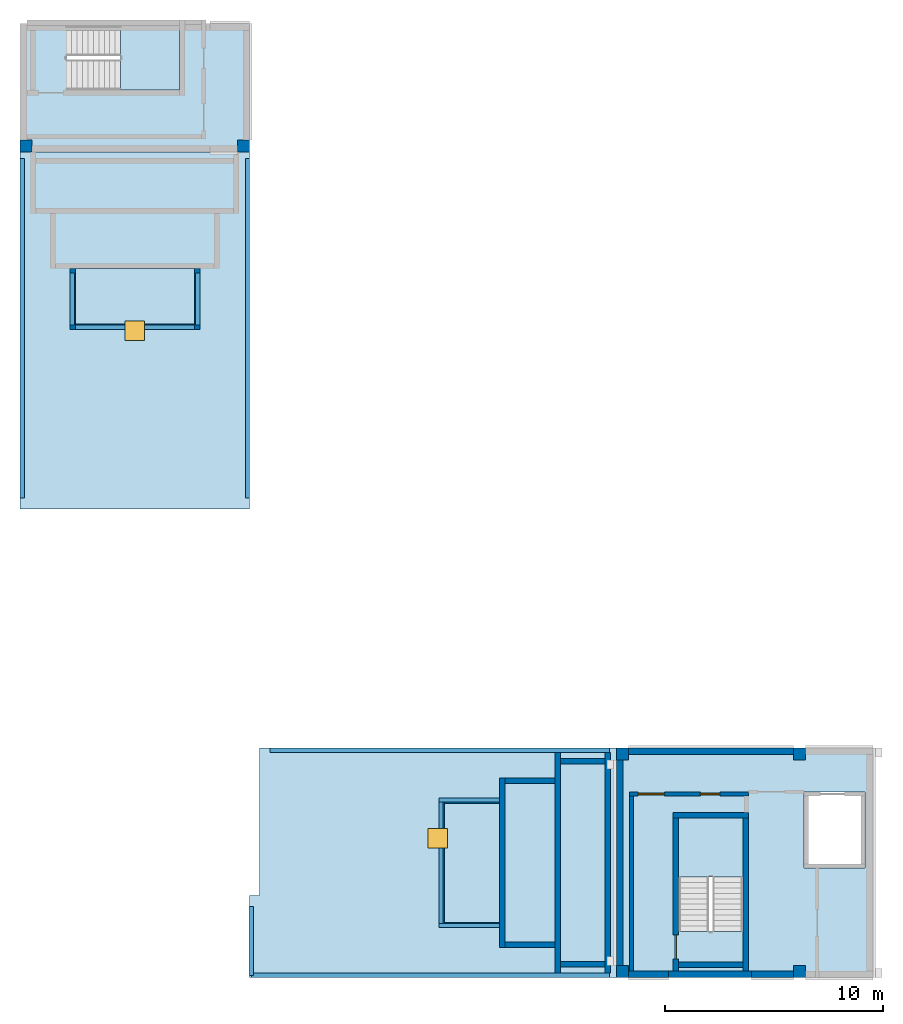
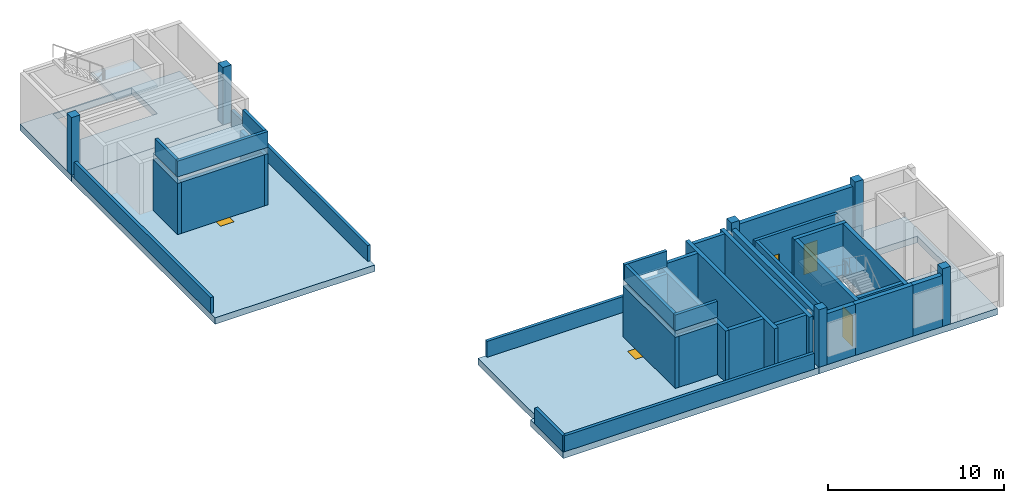
# One storey, part 1 of 4: 35 walls, 8 slabs, 6 columns, 3 doors, 2 windows, 5 openings, 2 elements without a shape of their own.
"""IFC4 building model written with IfcOpenShell, lengths in metres."""

from ifc_helpers import new_model, si_unit, direction, frame, frame_2d, origin, origin_2d, place, context, subcontext, project, spatial, polyline, rectangle, outline, extrude, source, transform, mapped, material, layer, layer_set, material_profile, profile_set, type_object, element, fill, aggregate, save


model = new_model("IFC4")

# Units and contexts
model_context = context("Model", 3, precision=1e-05, world=origin(), true_north=direction((0.0, 1.0)))
body_context = subcontext(model_context, "Body", "Model", "MODEL_VIEW")
ifc_project = project(units=[si_unit("LENGTHUNIT", "METRE"), si_unit("AREAUNIT", "SQUARE_METRE"), si_unit("VOLUMEUNIT", "CUBIC_METRE"), si_unit("PLANEANGLEUNIT", "RADIAN"), si_unit("MASSUNIT", "GRAM", prefix="KILO")], contexts=[model_context])

# Site, building, storey
site_placement = place(None, origin())
site = spatial("IfcSite", under=ifc_project, at=site_placement, CompositionType="ELEMENT")
building_placement = place(site_placement, origin())
building = spatial("IfcBuilding", under=site, at=building_placement, Name="Aurelian Terraces", CompositionType="ELEMENT")
storey_placement = place(building_placement, frame((0.0, 0.0, 376.5)))
storey = spatial("IfcBuildingStorey", under=building, at=storey_placement, Name="L90", CompositionType="ELEMENT", Elevation=376.5)

# Columns
ifc_material_1 = material(Name="Concrete fc' 55 MPa", Category="concrete")
ifc_material_profile = material_profile(ifc_material_1, rectangle(XDim=0.55, YDim=0.55, at=origin_2d()))
ifc_profile_set = profile_set([ifc_material_profile], Name="Concrete fc' 55 MPa")
column_type = type_object("IfcColumnType", Name="RC COLUMN 550X550 FC55", PredefinedType="COLUMN", material=ifc_profile_set)
shared_shape_1 = source(origin(), body_context, "Body", "SweptSolid", [
    extrude(rectangle(XDim=0.55, YDim=0.55, at=origin_2d()), origin(), (0.0, 0.0, 1.0), 4.0),
])
for number, where, z_axis, x_axis, name in (
    (1, (38.075, 0.275, 0.0), (0.0, 0.0, 1.0), (1.0, 0.0, 0.0), "Column 5/A L90"),
    (2, (46.2, 0.275, 0.0), (0.0, 0.0, 1.0), (1.0, 0.0, 0.0), "Column 6/A L90"),
    (3, (38.075, 10.225, 0.0), (0.0, 0.0, 1.0), (1.0, 0.0, 0.0), "Column 5/B L90"),
    (4, (46.2, 10.225, 0.0), (0.0, 0.0, 1.0), (1.0, 0.0, 0.0), "Column 6/B L90"),
    (5, (10.775, 38.075, 0.0), (0.0, 0.0, 1.0), (1.0, 0.0, 0.0), "Column 2/E L90"),
    (6, (20.725, 38.075, 0.0), (0.0, 0.0, 1.0), (1.0, 0.0, 0.0), "Column 3/E L90"),
):
    element("IfcColumn", number, at=place(storey_placement, frame(where, z_axis=z_axis, x_axis=x_axis)), inside=storey, type_object=column_type, Name=name, PredefinedType="COLUMN", context=body_context, shape_type="MappedRepresentation", body=[
        mapped(shared_shape_1, transform((0.0, 0.0, 0.0), scale=1.0)),
    ])

# Slabs
ifc_material_2 = material(Name="Concrete fc' 40 MPa", Category="concrete")
ifc_layer_1 = layer(ifc_material_2, 0.45)
ifc_layer_set_1 = layer_set([ifc_layer_1], Name="CROWN ROOF SLAB 450")
slab_type_1 = type_object("IfcSlabType", Name="CROWN ROOF SLAB 450", PredefinedType="ROOF", material=ifc_layer_set_1)
slab_1_placement = place(storey_placement, frame((0.0, 0.0, 3.55)))
element("IfcSlab", 7, at=slab_1_placement, inside=storey, type_object=slab_type_1, Name="Crown tier roof slab A1S1", PredefinedType="ROOF", context=body_context, shape_type="SweptSolid", body=[
    extrude(outline(polyline([(32.458, 2.275), (32.458, 8.225), (29.675, 8.225), (29.675, 2.275), (32.458, 2.275)])), origin(), (0.0, 0.0, 1.0), 0.45),
])
slab_2_placement = place(storey_placement, frame((0.0, 0.0, 3.55)))
element("IfcSlab", 8, at=slab_2_placement, inside=storey, type_object=slab_type_1, Name="Crown tier roof slab BS1", PredefinedType="ROOF", context=body_context, shape_type="SweptSolid", body=[
    extrude(outline(polyline([(18.725, 29.675), (18.725, 32.458), (12.775, 32.458), (12.775, 29.675), (18.725, 29.675)])), origin(), (0.0, 0.0, 1.0), 0.45),
])
ifc_layer_2 = layer(ifc_material_2, 0.45)
ifc_layer_set_2 = layer_set([ifc_layer_2], Name="PT FLAT PLATE 450")
slab_type_2 = type_object("IfcSlabType", Name="PT FLAT PLATE 450", PredefinedType="FLOOR", material=ifc_layer_set_2)
slab_3_placement = place(storey_placement, frame((0.0, 0.0, -0.45)))
element("IfcSlab", 9, at=slab_3_placement, inside=storey, type_object=slab_type_2, Name="Floor slab A L90", PredefinedType="FLOOR", context=body_context, shape_type="SweptSolid", body=[
    extrude(outline(polyline([(37.8, 0.0), (37.8, 10.5), (49.56, 10.5), (49.56, 6.3), (49.56, 4.2), (49.56, 0.0), (46.2, 0.0), (37.8, 0.0)]), holes=[polyline([(46.41, 8.49), (46.41, 5.01), (49.19, 5.01), (49.19, 8.49), (46.41, 8.49)]), polyline([(43.59, 2.11), (43.59, 7.29), (40.66, 7.29), (40.66, 2.11), (43.59, 2.11)])]), origin(), (0.0, 0.0, 1.0), 0.45),
])
slab_4_placement = place(storey_placement, frame((0.0, 0.0, -0.45)))
element("IfcSlab", 10, at=slab_4_placement, inside=storey, type_object=slab_type_2, Name="Floor slab B L90", PredefinedType="FLOOR", context=body_context, shape_type="SweptSolid", body=[
    extrude(outline(polyline([(14.7, 43.68), (16.8, 43.68), (21.0, 43.68), (21.0, 37.8), (10.5, 37.8), (10.5, 43.68), (14.7, 43.68)]), holes=[polyline([(12.61, 43.59), (12.61, 40.66), (17.79, 40.66), (17.79, 43.59), (12.61, 43.59)])]), origin(), (0.0, 0.0, 1.0), 0.45),
])

# Slab, opening, window
ifc_layer_3 = layer(ifc_material_2, 0.45)
ifc_layer_set_3 = layer_set([ifc_layer_3], Name="Roof slab 450")
slab_type_3 = type_object("IfcSlabType", Name="Roof slab 450", PredefinedType="ROOF", material=ifc_layer_set_3)
slab_5_placement = place(storey_placement, frame((0.0, 0.0, -0.45)))
slab_5 = element("IfcSlab", 11, at=slab_5_placement, inside=storey, type_object=slab_type_3, Name="Roof slab L90 L90-X1", PredefinedType="ROOF", context=body_context, shape_type="SweptSolid", body=[
    extrude(outline(polyline([(21.0, 0.0), (21.0, 3.749), (21.45, 3.749), (21.4501, 3.749), (21.4502, 3.749), (21.4503, 3.749), (21.4504, 3.7491), (21.4505, 3.7491), (21.4506, 3.7492), (21.4506, 3.7492), (21.4507, 3.7493), (21.4508, 3.7494), (21.4508, 3.7494), (21.4509, 3.7495), (21.4509, 3.7496), (21.451, 3.7497), (21.451, 3.7498), (21.451, 3.7499), (21.451, 3.75), (21.451, 10.5), (37.8, 10.5), (37.8, 0.0), (29.4, 0.0), (21.0, 0.0)])), origin(), (0.0, 0.0, 1.0), 0.45),
])
shared_shape_2 = source(origin(), body_context, "Body", "SweptSolid", [
    extrude(rectangle(XDim=0.9, YDim=0.9, at=origin_2d()), frame((0.0, 0.0, -0.01)), (0.0, 0.0, 1.0), 0.47),
])
opening_1_placement = place(slab_5_placement, frame((29.625, 6.375, 0.0)))
opening_1 = element("IfcOpeningElement", 12, at=opening_1_placement, cuts=slab_5, Name="Opening RH1", PredefinedType="OPENING", context=body_context, shape_type="MappedRepresentation", body=[
    mapped(shared_shape_2, transform((0.0, 0.0, 0.0), scale=1.0)),
])
ifc_material_3 = material(Name="Clear glazing", Category="glass")
window_type = type_object("IfcWindowType", Name="ROOF HATCH", PartitioningType="SINGLE_PANEL", PredefinedType="SKYLIGHT", material=ifc_material_3)
shared_shape_3 = source(origin(), body_context, "Body", "SweptSolid", [
    extrude(rectangle(XDim=0.9, YDim=0.9, at=origin_2d()), origin(), (0.0, 0.0, 1.0), 0.05),
])
window_1_placement = place(opening_1_placement, frame((0.0, 0.0, 0.4)))
window_1 = element("IfcWindow", 13, at=window_1_placement, inside=storey, type_object=window_type, Name="Roof access hatch L90", OverallHeight=0.9, OverallWidth=0.9, PartitioningType="SINGLE_PANEL", PredefinedType="SKYLIGHT", context=body_context, shape_type="MappedRepresentation", body=[
    mapped(shared_shape_3, transform((0.0, 0.0, 0.0), scale=1.0)),
])
fill(opening_1, window_1)

slab_6_placement = place(storey_placement, frame((0.0, 0.0, -0.45)))
slab_6 = element("IfcSlab", 14, at=slab_6_placement, inside=storey, type_object=slab_type_3, Name="Roof slab L90 L90-X1-2", PredefinedType="ROOF", context=body_context, shape_type="SweptSolid", body=[
    extrude(outline(polyline([(10.5, 37.8), (21.0, 37.8), (21.0, 29.4), (21.0, 21.451), (10.5, 21.451), (10.5, 37.8)])), origin(), (0.0, 0.0, 1.0), 0.45),
])
opening_2_placement = place(slab_6_placement, frame((15.75, 29.625, 0.0)))
opening_2 = element("IfcOpeningElement", 15, at=opening_2_placement, cuts=slab_6, Name="Opening RH1", PredefinedType="OPENING", context=body_context, shape_type="MappedRepresentation", body=[
    mapped(shared_shape_2, transform((0.0, 0.0, 0.0), scale=1.0)),
])
window_2_placement = place(opening_2_placement, frame((0.0, 0.0, 0.4)))
window_2 = element("IfcWindow", 16, at=window_2_placement, inside=storey, type_object=window_type, Name="Roof access hatch L90", OverallHeight=0.9, OverallWidth=0.9, PartitioningType="SINGLE_PANEL", PredefinedType="SKYLIGHT", context=body_context, shape_type="MappedRepresentation", body=[
    mapped(shared_shape_3, transform((0.0, 0.0, 0.0), scale=1.0)),
])
fill(opening_2, window_2)

# Stair, slab
stair_type = type_object("IfcStairType", Name="Stair 1400", PredefinedType="HALF_TURN_STAIR", material=ifc_material_2)
stair_1_placement = place(storey_placement, origin())
stair_1 = element("IfcStair", 17, at=stair_1_placement, inside=storey, type_object=stair_type, Name="L90 S2", PredefinedType="HALF_TURN_STAIR")
ifc_layer_4 = layer(ifc_material_2, 0.2)
ifc_layer_set_4 = layer_set([ifc_layer_4], Name="Stair landing 200")
slab_type_4 = type_object("IfcSlabType", Name="Stair landing 200", PredefinedType="LANDING", material=ifc_layer_set_4)
shared_shape_4 = source(origin(), body_context, "Body", "SweptSolid", [
    extrude(outline(polyline([(43.6, 4.6), (43.6, 7.3), (40.65, 7.3), (40.65, 4.6), (43.6, 4.6)])), origin(), (0.0, 0.0, 1.0), 0.2),
])
slab_7_placement = place(storey_placement, frame((0.0, 0.0, 1.8)))
slab_7 = element("IfcSlab", 18, at=slab_7_placement, type_object=slab_type_4, Name="S2 landing 1", PredefinedType="LANDING", context=body_context, shape_type="MappedRepresentation", body=[
    mapped(shared_shape_4, transform((0.0, 0.0, 0.0), scale=1.0)),
])
aggregate(stair_1, [slab_7])

stair_2_placement = place(storey_placement, origin())
stair_2 = element("IfcStair", 19, at=stair_2_placement, inside=storey, type_object=stair_type, Name="L90 S3U", PredefinedType="HALF_TURN_STAIR")
shared_shape_5 = source(origin(), body_context, "Body", "SweptSolid", [
    extrude(outline(polyline([(15.1, 40.65), (17.8, 40.65), (17.8, 43.6), (15.1, 43.6), (15.1, 40.65)])), origin(), (0.0, 0.0, 1.0), 0.2),
])
slab_8_placement = place(storey_placement, frame((0.0, 0.0, 1.8)))
slab_8 = element("IfcSlab", 20, at=slab_8_placement, type_object=slab_type_4, Name="S3U landing 1", PredefinedType="LANDING", context=body_context, shape_type="MappedRepresentation", body=[
    mapped(shared_shape_5, transform((0.0, 0.0, 0.0), scale=1.0)),
])
aggregate(stair_2, [slab_8])

# Walls
ifc_layer_5 = layer(ifc_material_2, 0.2)
ifc_layer_set_5 = layer_set([ifc_layer_5], Name="CROWN PARAPET 200 FC40")
wall_type_1 = type_object("IfcWallType", Name="CROWN PARAPET 200 FC40", PredefinedType="SOLIDWALL", material=ifc_layer_set_5)
wall_1_placement = place(storey_placement, frame((29.675, 2.375, 4.0), z_axis=(0.0, 0.0, 1.0), x_axis=(1.0, 0.0, 0.0)))
element("IfcWall", 21, at=wall_1_placement, inside=storey, type_object=wall_type_1, Name="Crown roof parapet A1S1", PredefinedType="SOLIDWALL", context=body_context, shape_type="SweptSolid", body=[
    extrude(rectangle(XDim=2.783, YDim=0.2, at=frame_2d((1.3915, 0.0))), origin(), (0.0, 0.0, 1.0), 1.1),
])
wall_2_placement = place(storey_placement, frame((12.775, 29.775, 4.0), z_axis=(0.0, 0.0, 1.0), x_axis=(1.0, 0.0, 0.0)))
element("IfcWall", 22, at=wall_2_placement, inside=storey, type_object=wall_type_1, Name="Crown roof parapet BS1", PredefinedType="SOLIDWALL", context=body_context, shape_type="SweptSolid", body=[
    extrude(rectangle(XDim=5.95, YDim=0.2, at=frame_2d((2.975, 0.0))), origin(), (0.0, 0.0, 1.0), 1.1),
])
wall_3_placement = place(storey_placement, frame((18.625, 29.875, 4.0), z_axis=(0.0, 0.0, 1.0), x_axis=(0.0, 1.0, 0.0)))
element("IfcWall", 23, at=wall_3_placement, inside=storey, type_object=wall_type_1, Name="Crown roof parapet BS1", PredefinedType="SOLIDWALL", context=body_context, shape_type="SweptSolid", body=[
    extrude(rectangle(XDim=2.383, YDim=0.2, at=frame_2d((1.1915, 0.0))), origin(), (0.0, 0.0, 1.0), 1.1),
])
ifc_material_4 = material(Name="Terracotta rainscreen cladding", Category="masonry")
ifc_layer_6 = layer(ifc_material_4, 0.3)
ifc_layer_set_6 = layer_set([ifc_layer_6], Name="EW-300")
wall_type_2 = type_object("IfcWallType", Name="EW-300", PredefinedType="STANDARD", material=ifc_layer_set_6)
wall_4_placement = place(storey_placement, frame((38.35, 0.15, 0.0), z_axis=(0.0, 0.0, 1.0), x_axis=(1.0, 0.0, 0.0)))
element("IfcWall", 24, at=wall_4_placement, inside=storey, type_object=wall_type_2, Name="External wall L90 F01.1", PredefinedType="STANDARD", context=body_context, shape_type="SweptSolid", body=[
    extrude(rectangle(XDim=1.85, YDim=0.3, at=frame_2d((0.925, 0.0))), origin(), (0.0, 0.0, 1.0), 3.55),
])
wall_5_placement = place(storey_placement, frame((37.95, 9.95, 0.0), z_axis=(0.0, 0.0, 1.0), x_axis=(0.0, -1.0, 0.0)))
element("IfcWall", 25, at=wall_5_placement, inside=storey, type_object=wall_type_2, Name="External wall L90 F04.1", PredefinedType="STANDARD", context=body_context, shape_type="SweptSolid", body=[
    extrude(rectangle(XDim=9.4, YDim=0.3, at=frame_2d((4.7, 0.0))), origin(), (0.0, 0.0, 1.0), 3.55),
])
ifc_layer_7 = layer(ifc_material_4, 0.2)
ifc_layer_set_7 = layer_set([ifc_layer_7], Name="PARAPET-200")
wall_type_3 = type_object("IfcWallType", Name="PARAPET-200", PredefinedType="PARAPET", material=ifc_layer_set_7)
wall_6_placement = place(storey_placement, frame((37.5, 0.09, 0.0), z_axis=(0.0, 0.0, 1.0), x_axis=(-1.0, 0.0, 0.0)))
element("IfcWall", 26, at=wall_6_placement, inside=storey, type_object=wall_type_3, Name="Parapet L90 L90-X1", PredefinedType="PARAPET", context=body_context, shape_type="SweptSolid", body=[
    extrude(rectangle(XDim=16.41, YDim=0.2, at=frame_2d((8.205, 0.0))), origin(), (0.0, 0.0, 1.0), 1.1),
])
wall_7_placement = place(storey_placement, frame((21.95, 10.41, 0.0), z_axis=(0.0, 0.0, 1.0), x_axis=(1.0, 0.0, 0.0)))
element("IfcWall", 27, at=wall_7_placement, inside=storey, type_object=wall_type_3, Name="Parapet L90 L90-X1", PredefinedType="PARAPET", context=body_context, shape_type="SweptSolid", body=[
    extrude(rectangle(XDim=15.55, YDim=0.2, at=frame_2d((7.775, 0.0))), origin(), (0.0, 0.0, 1.0), 1.1),
])
ifc_layer_8 = layer(ifc_material_1, 0.25)
ifc_layer_set_8 = layer_set([ifc_layer_8], Name="PLANT PENTHOUSE 250 FC55")
wall_type_4 = type_object("IfcWallType", Name="PLANT PENTHOUSE 250 FC55", PredefinedType="SOLIDWALL", material=ifc_layer_set_8)
wall_8_placement = place(storey_placement, frame((29.925, 2.4, 0.0), z_axis=(0.0, 0.0, 1.0), x_axis=(1.0, 0.0, 0.0)))
element("IfcWall", 28, at=wall_8_placement, inside=storey, type_object=wall_type_4, Name="Crown tier wall A1S1", PredefinedType="SOLIDWALL", context=body_context, shape_type="SweptSolid", body=[
    extrude(rectangle(XDim=2.533, YDim=0.25, at=frame_2d((1.2665, 0.0))), origin(), (0.0, 0.0, 1.0), 3.55),
])
wall_9_placement = place(storey_placement, frame((29.8, 8.225, 0.0), z_axis=(0.0, 0.0, 1.0), x_axis=(0.0, -1.0, 0.0)))
element("IfcWall", 29, at=wall_9_placement, inside=storey, type_object=wall_type_4, Name="Crown tier wall A1S1", PredefinedType="SOLIDWALL", context=body_context, shape_type="SweptSolid", body=[
    extrude(rectangle(XDim=5.95, YDim=0.25, at=frame_2d((2.975, 0.0))), origin(), (0.0, 0.0, 1.0), 3.55),
])
wall_10_placement = place(storey_placement, frame((32.708, 1.5, 0.0), z_axis=(0.0, 0.0, 1.0), x_axis=(1.0, 0.0, 0.0)))
element("IfcWall", 30, at=wall_10_placement, inside=storey, type_object=wall_type_4, Name="Crown tier wall A1S2", PredefinedType="SOLIDWALL", context=body_context, shape_type="SweptSolid", body=[
    extrude(rectangle(XDim=2.284, YDim=0.25, at=frame_2d((1.142, 0.0))), origin(), (0.0, 0.0, 1.0), 3.55),
])
wall_11_placement = place(storey_placement, frame((32.583, 9.125, 0.0), z_axis=(0.0, 0.0, 1.0), x_axis=(0.0, -1.0, 0.0)))
element("IfcWall", 31, at=wall_11_placement, inside=storey, type_object=wall_type_4, Name="Crown tier wall A1S2", PredefinedType="SOLIDWALL", context=body_context, shape_type="SweptSolid", body=[
    extrude(rectangle(XDim=7.75, YDim=0.25, at=frame_2d((3.875, 0.0))), origin(), (0.0, 0.0, 1.0), 3.55),
])
wall_12_placement = place(storey_placement, frame((35.242, 0.6, 0.0), z_axis=(0.0, 0.0, 1.0), x_axis=(1.0, 0.0, 0.0)))
element("IfcWall", 32, at=wall_12_placement, inside=storey, type_object=wall_type_4, Name="Crown tier wall A1S3", PredefinedType="SOLIDWALL", context=body_context, shape_type="SweptSolid", body=[
    extrude(rectangle(XDim=2.033, YDim=0.25, at=frame_2d((1.0165, 0.0))), origin(), (0.0, 0.0, 1.0), 3.55),
])
wall_13_placement = place(storey_placement, frame((37.4, 0.19, 0.0), z_axis=(0.0, 0.0, 1.0), x_axis=(0.0, 1.0, 0.0)))
element("IfcWall", 33, at=wall_13_placement, inside=storey, type_object=wall_type_4, Name="Crown tier wall A1S3", PredefinedType="SOLIDWALL", context=body_context, shape_type="SweptSolid", body=[
    extrude(rectangle(XDim=10.12, YDim=0.25, at=frame_2d((5.06, 0.0))), origin(), (0.0, 0.0, 1.0), 3.55),
])
wall_14_placement = place(storey_placement, frame((13.025, 29.8, 0.0), z_axis=(0.0, 0.0, 1.0), x_axis=(1.0, 0.0, 0.0)))
element("IfcWall", 34, at=wall_14_placement, inside=storey, type_object=wall_type_4, Name="Crown tier wall BS1", PredefinedType="SOLIDWALL", context=body_context, shape_type="SweptSolid", body=[
    extrude(rectangle(XDim=5.45, YDim=0.25, at=frame_2d((2.725, 0.0))), origin(), (0.0, 0.0, 1.0), 3.55),
])
wall_15_placement = place(storey_placement, frame((18.6, 29.675, 0.0), z_axis=(0.0, 0.0, 1.0), x_axis=(0.0, 1.0, 0.0)))
element("IfcWall", 35, at=wall_15_placement, inside=storey, type_object=wall_type_4, Name="Crown tier wall BS1", PredefinedType="SOLIDWALL", context=body_context, shape_type="SweptSolid", body=[
    extrude(rectangle(XDim=2.783, YDim=0.25, at=frame_2d((1.3915, 0.0))), origin(), (0.0, 0.0, 1.0), 3.55),
])
shared_shape_6 = source(origin(), body_context, "Body", "SweptSolid", [
    extrude(rectangle(XDim=2.533, YDim=0.25, at=frame_2d((1.2665, 0.0))), origin(), (0.0, 0.0, 1.0), 3.55),
])
wall_16_placement = place(storey_placement, frame((32.458, 8.1, 0.0), z_axis=(0.0, 0.0, 1.0), x_axis=(-1.0, 0.0, 0.0)))
element("IfcWall", 36, at=wall_16_placement, inside=storey, type_object=wall_type_4, Name="Crown tier wall A1S1", PredefinedType="SOLIDWALL", context=body_context, shape_type="MappedRepresentation", body=[
    mapped(shared_shape_6, transform((0.0, 0.0, 0.0), scale=1.0)),
])
shared_shape_7 = source(origin(), body_context, "Body", "SweptSolid", [
    extrude(rectangle(XDim=2.783, YDim=0.2, at=frame_2d((1.3915, 0.0))), origin(), (0.0, 0.0, 1.0), 1.1),
])
wall_17_placement = place(storey_placement, frame((29.675, 8.125, 4.0), z_axis=(0.0, 0.0, 1.0), x_axis=(1.0, 0.0, 0.0)))
element("IfcWall", 37, at=wall_17_placement, inside=storey, type_object=wall_type_1, Name="Crown roof parapet A1S1", PredefinedType="SOLIDWALL", context=body_context, shape_type="MappedRepresentation", body=[
    mapped(shared_shape_7, transform((0.0, 0.0, 0.0), scale=1.0)),
])
shared_shape_8 = source(origin(), body_context, "Body", "SweptSolid", [
    extrude(rectangle(XDim=5.55, YDim=0.2, at=frame_2d((2.775, 0.0))), origin(), (0.0, 0.0, 1.0), 1.1),
])
wall_18_placement = place(storey_placement, frame((29.775, 2.475, 4.0), z_axis=(0.0, 0.0, 1.0), x_axis=(0.0, 1.0, 0.0)))
element("IfcWall", 38, at=wall_18_placement, inside=storey, type_object=wall_type_1, Name="Crown roof parapet A1S1", PredefinedType="SOLIDWALL", context=body_context, shape_type="MappedRepresentation", body=[
    mapped(shared_shape_8, transform((0.0, 0.0, 0.0), scale=1.0)),
])
shared_shape_9 = source(origin(), body_context, "Body", "SweptSolid", [
    extrude(rectangle(XDim=2.284, YDim=0.25, at=frame_2d((1.142, 0.0))), origin(), (0.0, 0.0, 1.0), 3.55),
])
wall_19_placement = place(storey_placement, frame((34.992, 9.0, 0.0), z_axis=(0.0, 0.0, 1.0), x_axis=(-1.0, 0.0, 0.0)))
element("IfcWall", 39, at=wall_19_placement, inside=storey, type_object=wall_type_4, Name="Crown tier wall A1S2", PredefinedType="SOLIDWALL", context=body_context, shape_type="MappedRepresentation", body=[
    mapped(shared_shape_9, transform((0.0, 0.0, 0.0), scale=1.0)),
])
shared_shape_10 = source(origin(), body_context, "Body", "SweptSolid", [
    extrude(rectangle(XDim=2.033, YDim=0.25, at=frame_2d((1.0165, 0.0))), origin(), (0.0, 0.0, 1.0), 3.55),
])
wall_20_placement = place(storey_placement, frame((37.275, 9.9, 0.0), z_axis=(0.0, 0.0, 1.0), x_axis=(-1.0, 0.0, 0.0)))
element("IfcWall", 40, at=wall_20_placement, inside=storey, type_object=wall_type_4, Name="Crown tier wall A1S3", PredefinedType="SOLIDWALL", context=body_context, shape_type="MappedRepresentation", body=[
    mapped(shared_shape_10, transform((0.0, 0.0, 0.0), scale=1.0)),
])
shared_shape_11 = source(origin(), body_context, "Body", "SweptSolid", [
    extrude(rectangle(XDim=10.12, YDim=0.25, at=frame_2d((5.06, 0.0))), origin(), (0.0, 0.0, 1.0), 3.55),
])
wall_21_placement = place(storey_placement, frame((35.117, 10.31, 0.0), z_axis=(0.0, 0.0, 1.0), x_axis=(0.0, -1.0, 0.0)))
element("IfcWall", 41, at=wall_21_placement, inside=storey, type_object=wall_type_4, Name="Crown tier wall A1S3", PredefinedType="SOLIDWALL", context=body_context, shape_type="MappedRepresentation", body=[
    mapped(shared_shape_11, transform((0.0, 0.0, 0.0), scale=1.0)),
])
shared_shape_12 = source(origin(), body_context, "Body", "SweptSolid", [
    extrude(rectangle(XDim=2.783, YDim=0.25, at=frame_2d((1.3915, 0.0))), origin(), (0.0, 0.0, 1.0), 3.55),
])
wall_22_placement = place(storey_placement, frame((12.9, 32.458, 0.0), z_axis=(0.0, 0.0, 1.0), x_axis=(0.0, -1.0, 0.0)))
element("IfcWall", 42, at=wall_22_placement, inside=storey, type_object=wall_type_4, Name="Crown tier wall BS1", PredefinedType="SOLIDWALL", context=body_context, shape_type="MappedRepresentation", body=[
    mapped(shared_shape_12, transform((0.0, 0.0, 0.0), scale=1.0)),
])
shared_shape_13 = source(origin(), body_context, "Body", "SweptSolid", [
    extrude(rectangle(XDim=2.383, YDim=0.2, at=frame_2d((1.1915, 0.0))), origin(), (0.0, 0.0, 1.0), 1.1),
])
wall_23_placement = place(storey_placement, frame((12.875, 29.875, 4.0), z_axis=(0.0, 0.0, 1.0), x_axis=(0.0, 1.0, 0.0)))
element("IfcWall", 43, at=wall_23_placement, inside=storey, type_object=wall_type_1, Name="Crown roof parapet BS1", PredefinedType="SOLIDWALL", context=body_context, shape_type="MappedRepresentation", body=[
    mapped(shared_shape_13, transform((0.0, 0.0, 0.0), scale=1.0)),
])
shared_shape_14 = source(origin(), body_context, "Body", "SweptSolid", [
    extrude(rectangle(XDim=3.16, YDim=0.2, at=frame_2d((1.58, 0.0))), origin(), (0.0, 0.0, 1.0), 1.1),
])
wall_24_placement = place(storey_placement, frame((21.09, 0.09, 0.0), z_axis=(0.0, 0.0, 1.0), x_axis=(0.0, 1.0, 0.0)))
element("IfcWall", 44, at=wall_24_placement, inside=storey, type_object=wall_type_3, Name="Parapet L90 L90-X1", PredefinedType="PARAPET", context=body_context, shape_type="MappedRepresentation", body=[
    mapped(shared_shape_14, transform((0.0, 0.0, 0.0), scale=1.0)),
])
shared_shape_15 = source(origin(), body_context, "Body", "SweptSolid", [
    extrude(rectangle(XDim=1.925, YDim=0.3, at=frame_2d((0.9625, 0.0))), origin(), (0.0, 0.0, 1.0), 3.55),
])
wall_25_placement = place(storey_placement, frame((44.0, 0.15, 0.0), z_axis=(0.0, 0.0, 1.0), x_axis=(1.0, 0.0, 0.0)))
element("IfcWall", 45, at=wall_25_placement, inside=storey, type_object=wall_type_2, Name="External wall L90 F01.3", PredefinedType="STANDARD", context=body_context, shape_type="MappedRepresentation", body=[
    mapped(shared_shape_15, transform((0.0, 0.0, 0.0), scale=1.0)),
])
ifc_layer_9 = layer(ifc_material_2, 0.3)
ifc_layer_set_9 = layer_set([ifc_layer_9], Name="STAIR BAY WALL 300")
wall_type_5 = type_object("IfcWallType", Name="STAIR BAY WALL 300", PredefinedType="SOLIDWALL", material=ifc_layer_set_9)
shared_shape_16 = source(origin(), body_context, "Body", "SweptSolid", [
    extrude(rectangle(XDim=3.8, YDim=0.3, at=frame_2d((1.9, 0.0))), origin(), (0.0, 0.0, 1.0), 3.55),
])
wall_26_placement = place(storey_placement, frame((40.2, 0.15, 0.0), z_axis=(0.0, 0.0, 1.0), x_axis=(1.0, 0.0, 0.0)))
element("IfcWall", 46, at=wall_26_placement, inside=storey, type_object=wall_type_5, Name="Stair bay wall L90 F01.2", PredefinedType="SOLIDWALL", context=body_context, shape_type="MappedRepresentation", body=[
    mapped(shared_shape_16, transform((0.0, 0.0, 0.0), scale=1.0)),
])
shared_shape_17 = source(origin(), body_context, "Body", "SweptSolid", [
    extrude(rectangle(XDim=7.575, YDim=0.3, at=frame_2d((3.7875, 0.0))), origin(), (0.0, 0.0, 1.0), 3.55),
])
wall_27_placement = place(storey_placement, frame((45.925, 10.35, 0.0), z_axis=(0.0, 0.0, 1.0), x_axis=(-1.0, 0.0, 0.0)))
element("IfcWall", 47, at=wall_27_placement, inside=storey, type_object=wall_type_2, Name="External wall L90 F03.2", PredefinedType="STANDARD", context=body_context, shape_type="MappedRepresentation", body=[
    mapped(shared_shape_17, transform((0.0, 0.0, 0.0), scale=1.0)),
])
shared_shape_18 = source(origin(), body_context, "Body", "SweptSolid", [
    extrude(rectangle(XDim=15.55, YDim=0.2, at=frame_2d((7.775, 0.0))), origin(), (0.0, 0.0, 1.0), 1.1),
])
for number, where, z_axis, x_axis, name in (
    (48, (10.59, 21.95, 0.0), (0.0, 0.0, 1.0), (0.0, 1.0, 0.0), "Parapet L90 L90-X1-2"),
    (49, (20.91, 37.5, 0.0), (0.0, 0.0, 1.0), (0.0, -1.0, 0.0), "Parapet L90 L90-X1-2"),
):
    element("IfcWall", number, at=place(storey_placement, frame(where, z_axis=z_axis, x_axis=x_axis)), inside=storey, type_object=wall_type_3, Name=name, PredefinedType="PARAPET", context=body_context, shape_type="MappedRepresentation", body=[
        mapped(shared_shape_18, transform((0.0, 0.0, 0.0), scale=1.0)),
    ])

# Wall, opening, door
ifc_layer_10 = layer(ifc_material_2, 0.25)
ifc_layer_set_10 = layer_set([ifc_layer_10], Name="Stair enclosure wall 250")
wall_type_6 = type_object("IfcWallType", Name="Stair enclosure wall 250", PredefinedType="SOLIDWALL", material=ifc_layer_set_10)
shared_shape_19 = source(origin(), body_context, "Body", "SweptSolid", [
    extrude(rectangle(XDim=7.0, YDim=0.25, at=frame_2d((3.5, 0.0))), origin(), (0.0, 0.0, 1.0), 3.55),
])
wall_28_placement = place(storey_placement, frame((40.525, 0.3, 0.0), z_axis=(0.0, 0.0, 1.0), x_axis=(0.0, 1.0, 0.0)))
wall_28 = element("IfcWall", 50, at=wall_28_placement, inside=storey, type_object=wall_type_6, Name="L90 core wall ST-S2-W", PredefinedType="SOLIDWALL", context=body_context, shape_type="MappedRepresentation", body=[
    mapped(shared_shape_19, transform((0.0, 0.0, 0.0), scale=1.0)),
])
shared_shape_20 = source(origin(), body_context, "Body", "SweptSolid", [
    extrude(rectangle(XDim=1.1, YDim=2.1, at=frame_2d((0.55, 1.05))), frame((0.0, 0.135, 0.0), z_axis=(0.0, -1.0, 0.0), x_axis=(1.0, 0.0, 0.0)), (0.0, 0.0, 1.0), 0.27),
])
opening_3_placement = place(wall_28_placement, frame((0.55, 0.0, 0.0)))
opening_3 = element("IfcOpeningElement", 51, at=opening_3_placement, cuts=wall_28, Name="Opening 69301", PredefinedType="OPENING", context=body_context, shape_type="MappedRepresentation", body=[
    mapped(shared_shape_20, transform((0.0, 0.0, 0.0), scale=1.0)),
])
ifc_material_5 = material(Name="Steel door leaf", Category="steel")
door_type_1 = type_object("IfcDoorType", Name="Core fire door 1100x2100", OperationType="SINGLE_SWING_LEFT", PredefinedType="DOOR", material=ifc_material_5)
shared_shape_21 = source(origin(), body_context, "Body", "SweptSolid", [
    extrude(rectangle(XDim=1.1, YDim=2.1, at=frame_2d((0.55, 1.05))), frame((0.0, 0.025, 0.0), z_axis=(0.0, -1.0, 0.0), x_axis=(1.0, 0.0, 0.0)), (0.0, 0.0, 1.0), 0.05),
])
door_1_placement = place(opening_3_placement, origin())
door_1 = element("IfcDoor", 52, at=door_1_placement, inside=storey, type_object=door_type_1, Name="Stair door 69301", OperationType="SINGLE_SWING_LEFT", OverallHeight=2.1, OverallWidth=1.1, PredefinedType="DOOR", context=body_context, shape_type="MappedRepresentation", body=[
    mapped(shared_shape_21, transform((0.0, 0.0, 0.0), scale=1.0)),
])
fill(opening_3, door_1)

# Walls
wall_29_placement = place(storey_placement, frame((43.725, 0.3, 0.0), z_axis=(0.0, 0.0, 1.0), x_axis=(0.0, 1.0, 0.0)))
element("IfcWall", 53, at=wall_29_placement, inside=storey, type_object=wall_type_6, Name="L90 core wall ST-S2-E", PredefinedType="SOLIDWALL", context=body_context, shape_type="MappedRepresentation", body=[
    mapped(shared_shape_19, transform((0.0, 0.0, 0.0), scale=1.0)),
])
shared_shape_22 = source(origin(), body_context, "Body", "SweptSolid", [
    extrude(rectangle(XDim=3.45, YDim=0.25, at=frame_2d((1.725, 0.0))), origin(), (0.0, 0.0, 1.0), 3.55),
])
wall_30_placement = place(storey_placement, frame((40.4, 7.425, 0.0), z_axis=(0.0, 0.0, 1.0), x_axis=(1.0, 0.0, 0.0)))
element("IfcWall", 54, at=wall_30_placement, inside=storey, type_object=wall_type_6, Name="L90 core wall ST-S2-N", PredefinedType="SOLIDWALL", context=body_context, shape_type="MappedRepresentation", body=[
    mapped(shared_shape_22, transform((0.0, 0.0, 0.0), scale=1.0)),
])
ifc_material_6 = material(Name="Gypsum board on steel studs", Category="steel")
ifc_layer_11 = layer(ifc_material_6, 0.2)
ifc_layer_set_11 = layer_set([ifc_layer_11], Name="Core partition 200")
wall_type_7 = type_object("IfcWallType", Name="Core partition 200", PredefinedType="PARTITIONING", material=ifc_layer_set_11)
shared_shape_23 = source(origin(), body_context, "Body", "SweptSolid", [
    extrude(rectangle(XDim=8.0, YDim=0.2, at=frame_2d((4.0, 0.0))), origin(), (0.0, 0.0, 1.0), 3.55),
])
wall_31_placement = place(storey_placement, frame((38.5, 0.3, 0.0), z_axis=(0.0, 0.0, 1.0), x_axis=(0.0, 1.0, 0.0)))
element("IfcWall", 55, at=wall_31_placement, inside=storey, type_object=wall_type_7, Name="L90 core wall ST-S2-VW", PredefinedType="PARTITIONING", context=body_context, shape_type="MappedRepresentation", body=[
    mapped(shared_shape_23, transform((0.0, 0.0, 0.0), scale=1.0)),
])

# Wall, openings, doors
shared_shape_24 = source(origin(), body_context, "Body", "SweptSolid", [
    extrude(rectangle(XDim=5.45, YDim=0.2, at=frame_2d((2.725, 0.0))), origin(), (0.0, 0.0, 1.0), 3.55),
])
wall_32_placement = place(storey_placement, frame((38.4, 8.4, 0.0), z_axis=(0.0, 0.0, 1.0), x_axis=(1.0, 0.0, 0.0)))
wall_32 = element("IfcWall", 56, at=wall_32_placement, inside=storey, type_object=wall_type_7, Name="L90 core wall ST-S2-BN", PredefinedType="PARTITIONING", context=body_context, shape_type="MappedRepresentation", body=[
    mapped(shared_shape_24, transform((0.0, 0.0, 0.0), scale=1.0)),
])
shared_shape_25 = source(origin(), body_context, "Body", "SweptSolid", [
    extrude(rectangle(XDim=1.2, YDim=2.1, at=frame_2d((0.6, 1.05))), frame((0.0, 0.11, 0.0), z_axis=(0.0, -1.0, 0.0), x_axis=(1.0, 0.0, 0.0)), (0.0, 0.0, 1.0), 0.22),
])
opening_4_placement = place(wall_32_placement, frame((0.4, 0.0, 0.0)))
opening_4 = element("IfcOpeningElement", 57, at=opening_4_placement, cuts=wall_32, Name="Opening 69302", PredefinedType="OPENING", context=body_context, shape_type="MappedRepresentation", body=[
    mapped(shared_shape_25, transform((0.0, 0.0, 0.0), scale=1.0)),
])
shared_shape_26 = source(origin(), body_context, "Body", "SweptSolid", [
    extrude(rectangle(XDim=0.9, YDim=2.1, at=frame_2d((0.45, 1.05))), frame((0.0, 0.11, 0.0), z_axis=(0.0, -1.0, 0.0), x_axis=(1.0, 0.0, 0.0)), (0.0, 0.0, 1.0), 0.22),
])
opening_5_placement = place(wall_32_placement, frame((3.25, 0.0, 0.0)))
opening_5 = element("IfcOpeningElement", 58, at=opening_5_placement, cuts=wall_32, Name="Opening 69303", PredefinedType="OPENING", context=body_context, shape_type="MappedRepresentation", body=[
    mapped(shared_shape_26, transform((0.0, 0.0, 0.0), scale=1.0)),
])
door_type_2 = type_object("IfcDoorType", Name="Core riser door 900x2100", OperationType="SINGLE_SWING_LEFT", PredefinedType="DOOR", material=ifc_material_5)
shared_shape_27 = source(origin(), body_context, "Body", "SweptSolid", [
    extrude(rectangle(XDim=0.9, YDim=2.1, at=frame_2d((0.45, 1.05))), frame((0.0, 0.025, 0.0), z_axis=(0.0, -1.0, 0.0), x_axis=(1.0, 0.0, 0.0)), (0.0, 0.0, 1.0), 0.05),
])
door_2_placement = place(opening_5_placement, origin())
door_2 = element("IfcDoor", 59, at=door_2_placement, inside=storey, type_object=door_type_2, Name="Riser door 69303", OperationType="SINGLE_SWING_LEFT", OverallHeight=2.1, OverallWidth=0.9, PredefinedType="DOOR", context=body_context, shape_type="MappedRepresentation", body=[
    mapped(shared_shape_27, transform((0.0, 0.0, 0.0), scale=1.0)),
])
fill(opening_5, door_2)
door_type_3 = type_object("IfcDoorType", Name="Core fire door 1200x2100 right", OperationType="SINGLE_SWING_RIGHT", PredefinedType="DOOR", material=ifc_material_5)
shared_shape_28 = source(origin(), body_context, "Body", "SweptSolid", [
    extrude(rectangle(XDim=1.2, YDim=2.1, at=frame_2d((0.6, 1.05))), frame((0.0, 0.025, 0.0), z_axis=(0.0, -1.0, 0.0), x_axis=(1.0, 0.0, 0.0)), (0.0, 0.0, 1.0), 0.05),
])
door_3_placement = place(opening_4_placement, origin())
door_3 = element("IfcDoor", 60, at=door_3_placement, inside=storey, type_object=door_type_3, Name="Vestibule door 69302", OperationType="SINGLE_SWING_RIGHT", OverallHeight=2.1, OverallWidth=1.2, PredefinedType="DOOR", context=body_context, shape_type="MappedRepresentation", body=[
    mapped(shared_shape_28, transform((0.0, 0.0, 0.0), scale=1.0)),
])
fill(opening_4, door_3)

# Wall
shared_shape_29 = source(origin(), body_context, "Body", "SweptSolid", [
    extrude(rectangle(XDim=2.95, YDim=0.25, at=frame_2d((1.475, 0.0))), origin(), (0.0, 0.0, 1.0), 3.55),
])
wall_33_placement = place(storey_placement, frame((40.65, 0.575, 0.0), z_axis=(0.0, 0.0, 1.0), x_axis=(1.0, 0.0, 0.0)))
element("IfcWall", 61, at=wall_33_placement, inside=storey, type_object=wall_type_6, Name="L90 core wall ST-S2-SS", PredefinedType="SOLIDWALL", context=body_context, shape_type="MappedRepresentation", body=[
    mapped(shared_shape_29, transform((0.0, 0.0, 0.0), scale=1.0)),
])

save(model, "model.ifc")
